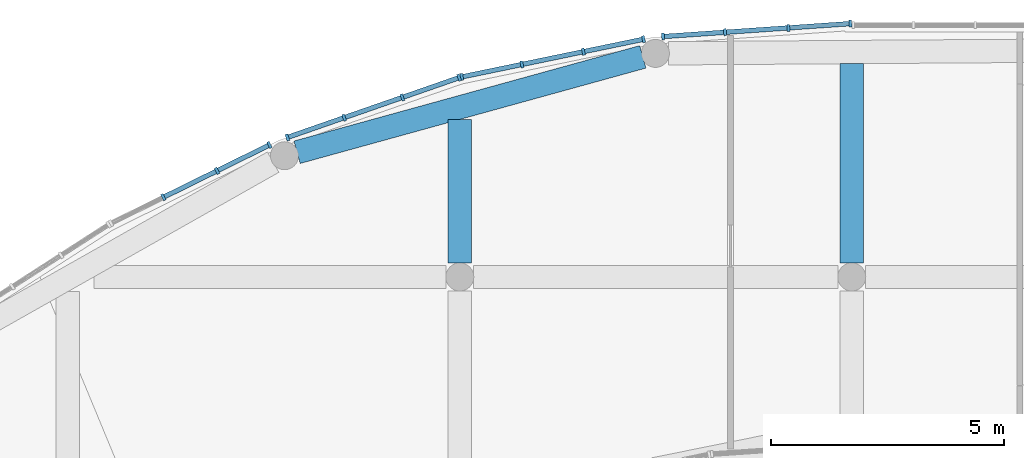
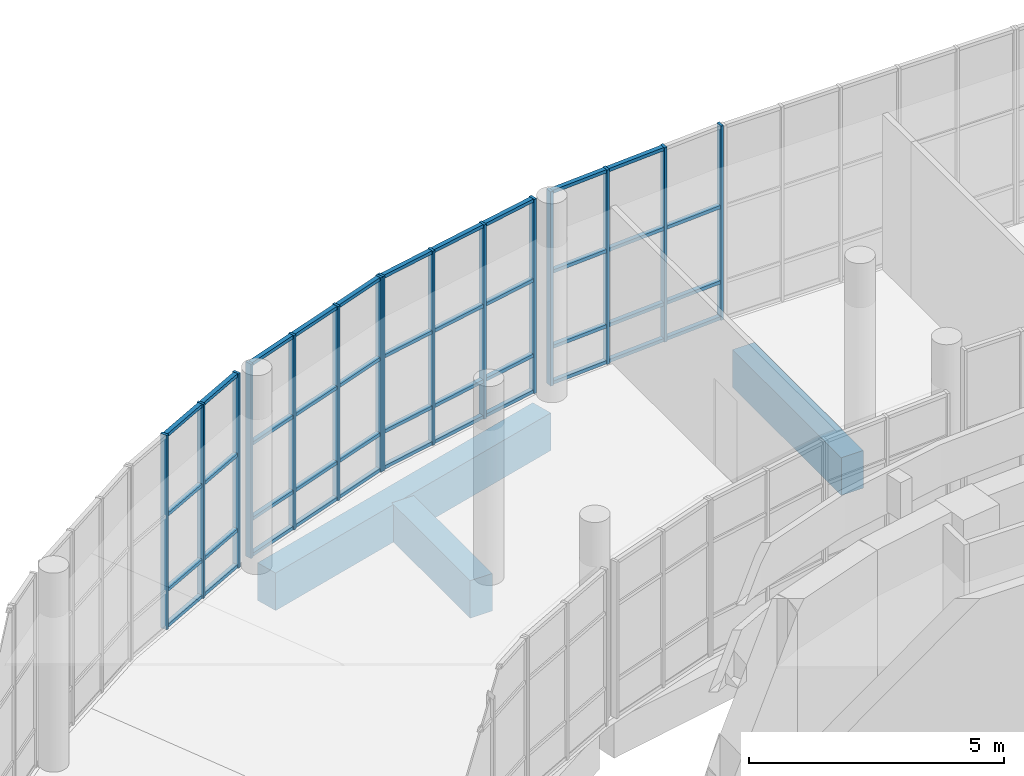
# One storey, part 36 of 119: 58 members, 3 beams, 4 elements without a shape of their own.
"""IFC4 building model written with IfcOpenShell, lengths in metres."""

from ifc_helpers import new_model, si_unit, direction, frame, origin, origin_2d, place, context, subcontext, project, spatial, rectangle, extrude, material, layer, layer_set, material_profile, profile_set, type_object, element, aggregate, save


model = new_model("IFC4")

# Units and contexts
model_context = context("Model", 3, precision=1e-05, world=origin(), true_north=direction((0.0, 1.0)))
body_context = subcontext(model_context, "Body", "Model", "MODEL_VIEW")
ifc_project = project(units=[si_unit("LENGTHUNIT", "METRE"), si_unit("AREAUNIT", "SQUARE_METRE"), si_unit("VOLUMEUNIT", "CUBIC_METRE"), si_unit("PLANEANGLEUNIT", "RADIAN"), si_unit("MASSUNIT", "GRAM", prefix="KILO")], contexts=[model_context])

# Site, building, storey
site_placement = place(None, origin())
site = spatial("IfcSite", under=ifc_project, at=site_placement, CompositionType="ELEMENT")
building_placement = place(site_placement, origin())
building = spatial("IfcBuilding", under=site, at=building_placement, Name="Larchfold Concert Hall", CompositionType="ELEMENT")
storey_placement = place(building_placement, frame((0.0, 0.0, 4.800048828125)))
storey = spatial("IfcBuildingStorey", under=building, at=storey_placement, Name="L01", CompositionType="ELEMENT", Elevation=4.800048828125)

# Curtain wall, members
ifc_material_1 = material(Name="Anodised graphite aluminium curtain wall", Category="aluminium")
ifc_layer = layer(ifc_material_1, 0.14990234375)
ifc_layer_set = layer_set([ifc_layer], Name="Anodised graphite aluminium curtain wall")
curtain_wall_type = type_object("IfcCurtainWallType", Name="Curtain wall WG", PredefinedType="NOTDEFINED", material=ifc_layer_set)
curtain_wall_1_placement = place(storey_placement, origin())
curtain_wall_1 = element("IfcCurtainWall", 1, at=curtain_wall_1_placement, inside=storey, type_object=curtain_wall_type, Name="Curtain wall CW0177", PredefinedType="NOTDEFINED")
ifc_material_2 = material(Name="Anodised graphite aluminium mullion", Category="aluminium")
ifc_material_profile_1 = material_profile(ifc_material_2, rectangle(XDim=0.14990234375, YDim=0.06005859375, at=origin_2d()))
ifc_profile_set_1 = profile_set([ifc_material_profile_1], Name="Anodised graphite aluminium mullion")
member_type_1 = type_object("IfcMemberType", Name="Aluminium mullion 60x150", PredefinedType="MULLION", material=ifc_profile_set_1)
member_1_placement = place(storey_placement, frame((42.570068359375, 132.030029296875, 0.0), z_axis=(0.0, 0.0, 1.0), x_axis=(0.068808246767, -0.997629903911, 0.0)))
member_1 = element("IfcMember", 2, at=member_1_placement, type_object=member_type_1, Name="CW0177 mullion 1", PredefinedType="MULLION", context=body_context, shape_type="SweptSolid", body=[
    extrude(rectangle(XDim=0.14990234375, YDim=0.06005859375, at=origin_2d()), origin(), (0.0, 0.0, 1.0), 4.64990234375),
])
member_2_placement = place(storey_placement, frame((41.241943359375, 131.938232421875, 0.0), z_axis=(0.0, 0.0, 1.0), x_axis=(0.068808246767, -0.997629903911, 0.0)))
member_2 = element("IfcMember", 3, at=member_2_placement, type_object=member_type_1, Name="CW0177 mullion 2", PredefinedType="MULLION", context=body_context, shape_type="SweptSolid", body=[
    extrude(rectangle(XDim=0.14990234375, YDim=0.06005859375, at=origin_2d()), origin(), (0.0, 0.0, 1.0), 4.64990234375),
])
member_3_placement = place(storey_placement, frame((39.884033203125, 131.8447265625, 0.0), z_axis=(0.0, 0.0, 1.0), x_axis=(0.068808246767, -0.997629903911, 0.0)))
member_3 = element("IfcMember", 4, at=member_3_placement, type_object=member_type_1, Name="CW0177 mullion 3", PredefinedType="MULLION", context=body_context, shape_type="SweptSolid", body=[
    extrude(rectangle(XDim=0.14990234375, YDim=0.06005859375, at=origin_2d()), origin(), (0.0, 0.0, 1.0), 4.64990234375),
])
member_4_placement = place(storey_placement, frame((38.555908203125, 131.7529296875, 0.0), z_axis=(0.0, 0.0, 1.0), x_axis=(0.068808246767, -0.997629903911, 0.0)))
member_4 = element("IfcMember", 5, at=member_4_placement, type_object=member_type_1, Name="CW0177 mullion 4", PredefinedType="MULLION", context=body_context, shape_type="SweptSolid", body=[
    extrude(rectangle(XDim=0.14990234375, YDim=0.06005859375, at=origin_2d()), origin(), (0.0, 0.0, 1.0), 4.64990234375),
])

curtain_wall_2_placement = place(storey_placement, origin())
curtain_wall_2 = element("IfcCurtainWall", 6, at=curtain_wall_2_placement, inside=storey, type_object=curtain_wall_type, Name="Curtain wall CW0178", PredefinedType="NOTDEFINED")
member_5_placement = place(storey_placement, frame((38.13720703125, 131.695556640625, 0.0), z_axis=(0.0, 0.0, 1.0), x_axis=(0.203041455757, -0.979170142133, 0.0)))
member_5 = element("IfcMember", 7, at=member_5_placement, type_object=member_type_1, Name="CW0178 mullion 1", PredefinedType="MULLION", context=body_context, shape_type="SweptSolid", body=[
    extrude(rectangle(XDim=0.14990234375, YDim=0.06005859375, at=origin_2d()), origin(), (0.0, 0.0, 1.0), 4.64990234375),
])
member_6_placement = place(storey_placement, frame((36.8486328125, 131.428466796875, 0.0), z_axis=(0.0, 0.0, 1.0), x_axis=(0.203041455757, -0.979170142133, 0.0)))
member_6 = element("IfcMember", 8, at=member_6_placement, type_object=member_type_1, Name="CW0178 mullion 2", PredefinedType="MULLION", context=body_context, shape_type="SweptSolid", body=[
    extrude(rectangle(XDim=0.14990234375, YDim=0.06005859375, at=origin_2d()), origin(), (0.0, 0.0, 1.0), 4.64990234375),
])
member_7_placement = place(storey_placement, frame((35.53076171875, 131.155029296875, 0.0), z_axis=(0.0, 0.0, 1.0), x_axis=(0.203041455757, -0.979170142133, 0.0)))
member_7 = element("IfcMember", 9, at=member_7_placement, type_object=member_type_1, Name="CW0178 mullion 3", PredefinedType="MULLION", context=body_context, shape_type="SweptSolid", body=[
    extrude(rectangle(XDim=0.14990234375, YDim=0.06005859375, at=origin_2d()), origin(), (0.0, 0.0, 1.0), 4.64990234375),
])
member_8_placement = place(storey_placement, frame((34.2421875, 130.887939453125, 0.0), z_axis=(0.0, 0.0, 1.0), x_axis=(0.203041455757, -0.979170142133, 0.0)))
member_8 = element("IfcMember", 10, at=member_8_placement, type_object=member_type_1, Name="CW0178 mullion 4", PredefinedType="MULLION", context=body_context, shape_type="SweptSolid", body=[
    extrude(rectangle(XDim=0.14990234375, YDim=0.06005859375, at=origin_2d()), origin(), (0.0, 0.0, 1.0), 4.64990234375),
])

curtain_wall_3_placement = place(storey_placement, origin())
curtain_wall_3 = element("IfcCurtainWall", 11, at=curtain_wall_3_placement, inside=storey, type_object=curtain_wall_type, Name="Curtain wall CW0179", PredefinedType="NOTDEFINED")
member_9_placement = place(storey_placement, frame((34.1845703125, 130.8720703125, 0.0), z_axis=(0.0, 0.0, 1.0), x_axis=(0.328898749766, -0.944365190169, 0.0)))
member_9 = element("IfcMember", 12, at=member_9_placement, type_object=member_type_1, Name="CW0179 mullion 1", PredefinedType="MULLION", context=body_context, shape_type="SweptSolid", body=[
    extrude(rectangle(XDim=0.14990234375, YDim=0.06005859375, at=origin_2d()), origin(), (0.0, 0.0, 1.0), 4.64990234375),
])
member_10_placement = place(storey_placement, frame((32.967529296875, 130.447998046875, 0.0), z_axis=(0.0, 0.0, 1.0), x_axis=(0.328898749766, -0.944365190169, 0.0)))
member_10 = element("IfcMember", 13, at=member_10_placement, type_object=member_type_1, Name="CW0179 mullion 2", PredefinedType="MULLION", context=body_context, shape_type="SweptSolid", body=[
    extrude(rectangle(XDim=0.14990234375, YDim=0.06005859375, at=origin_2d()), origin(), (0.0, 0.0, 1.0), 4.64990234375),
])
member_11_placement = place(storey_placement, frame((31.721923828125, 130.014404296875, 0.0), z_axis=(0.0, 0.0, 1.0), x_axis=(0.328898749766, -0.944365190169, 0.0)))
member_11 = element("IfcMember", 14, at=member_11_placement, type_object=member_type_1, Name="CW0179 mullion 3", PredefinedType="MULLION", context=body_context, shape_type="SweptSolid", body=[
    extrude(rectangle(XDim=0.14990234375, YDim=0.06005859375, at=origin_2d()), origin(), (0.0, 0.0, 1.0), 4.64990234375),
])
member_12_placement = place(storey_placement, frame((30.5048828125, 129.59033203125, 0.0), z_axis=(0.0, 0.0, 1.0), x_axis=(0.328898749766, -0.944365190169, 0.0)))
member_12 = element("IfcMember", 15, at=member_12_placement, type_object=member_type_1, Name="CW0179 mullion 4", PredefinedType="MULLION", context=body_context, shape_type="SweptSolid", body=[
    extrude(rectangle(XDim=0.14990234375, YDim=0.06005859375, at=origin_2d()), origin(), (0.0, 0.0, 1.0), 4.64990234375),
])

curtain_wall_4_placement = place(storey_placement, origin())
curtain_wall_4 = element("IfcCurtainWall", 16, at=curtain_wall_4_placement, inside=storey, type_object=curtain_wall_type, Name="Curtain wall CW0180", PredefinedType="NOTDEFINED")
member_13_placement = place(storey_placement, frame((30.120361328125, 129.429443359375, 0.0), z_axis=(0.0, 0.0, 1.0), x_axis=(0.44238339909, -0.896826030069, 0.0)))
member_13 = element("IfcMember", 17, at=member_13_placement, type_object=member_type_1, Name="CW0180 mullion 1", PredefinedType="MULLION", context=body_context, shape_type="SweptSolid", body=[
    extrude(rectangle(XDim=0.14990234375, YDim=0.06005859375, at=origin_2d()), origin(), (0.0, 0.0, 1.0), 4.64990234375),
])
member_14_placement = place(storey_placement, frame((28.997314453125, 128.87548828125, 0.0), z_axis=(0.0, 0.0, 1.0), x_axis=(0.44238339909, -0.896826030069, 0.0)))
member_14 = element("IfcMember", 18, at=member_14_placement, type_object=member_type_1, Name="CW0180 mullion 2", PredefinedType="MULLION", context=body_context, shape_type="SweptSolid", body=[
    extrude(rectangle(XDim=0.14990234375, YDim=0.06005859375, at=origin_2d()), origin(), (0.0, 0.0, 1.0), 4.64990234375),
])
member_15_placement = place(storey_placement, frame((27.847412109375, 128.30810546875, 0.0), z_axis=(0.0, 0.0, 1.0), x_axis=(0.44238339909, -0.896826030069, 0.0)))
member_15 = element("IfcMember", 19, at=member_15_placement, type_object=member_type_1, Name="CW0180 mullion 3", PredefinedType="MULLION", context=body_context, shape_type="SweptSolid", body=[
    extrude(rectangle(XDim=0.14990234375, YDim=0.06005859375, at=origin_2d()), origin(), (0.0, 0.0, 1.0), 4.64990234375),
])

# Member
ifc_material_3 = material(Name="Anodised graphite aluminium transom", Category="aluminium")
ifc_material_profile_2 = material_profile(ifc_material_3, rectangle(XDim=0.10009765625, YDim=0.080078125, at=origin_2d()))
ifc_profile_set_2 = profile_set([ifc_material_profile_2], Name="Anodised graphite aluminium transom")
member_type_2 = type_object("IfcMemberType", Name="Aluminium transom 80x100", PredefinedType="USERDEFINED", material=ifc_profile_set_2)
member_16_placement = place(storey_placement, frame((42.540283203125, 132.02783203125, 0.0400390625), z_axis=(-0.99763396324, -0.068749366475, 0.0), x_axis=(0.068749366475, -0.99763396324, 0.0)))
member_16 = element("IfcMember", 20, at=member_16_placement, type_object=member_type_2, Name="CW0177 transom 1.1", ObjectType="TRANSOM", PredefinedType="USERDEFINED", context=body_context, shape_type="SweptSolid", body=[
    extrude(rectangle(XDim=0.10009765625, YDim=0.080078125, at=origin_2d()), origin(), (0.0, 0.0, 1.0), 1.271240234375),
])

member_17_placement = place(storey_placement, frame((42.540283203125, 132.02783203125, 0.89990234375), z_axis=(-0.99763396324, -0.068749366475, 0.0), x_axis=(0.068749366475, -0.99763396324, 0.0)))
member_17 = element("IfcMember", 21, at=member_17_placement, type_object=member_type_2, Name="CW0177 transom 1.2", ObjectType="TRANSOM", PredefinedType="USERDEFINED", context=body_context, shape_type="SweptSolid", body=[
    extrude(rectangle(XDim=0.10009765625, YDim=0.080078125, at=origin_2d()), origin(), (0.0, 0.0, 1.0), 1.271240234375),
])

member_18_placement = place(storey_placement, frame((42.540283203125, 132.02783203125, 2.699951171875), z_axis=(-0.99763396324, -0.068749366475, 0.0), x_axis=(0.068749366475, -0.99763396324, 0.0)))
member_18 = element("IfcMember", 22, at=member_18_placement, type_object=member_type_2, Name="CW0177 transom 1.3", ObjectType="TRANSOM", PredefinedType="USERDEFINED", context=body_context, shape_type="SweptSolid", body=[
    extrude(rectangle(XDim=0.10009765625, YDim=0.080078125, at=origin_2d()), origin(), (0.0, 0.0, 1.0), 1.271240234375),
])

member_19_placement = place(storey_placement, frame((41.212158203125, 131.936279296875, 0.0400390625), z_axis=(-0.997627219332, -0.068847158611, 0.0), x_axis=(0.068847158611, -0.997627219332, 0.0)))
member_19 = element("IfcMember", 23, at=member_19_placement, type_object=member_type_2, Name="CW0177 transom 2.1", ObjectType="TRANSOM", PredefinedType="USERDEFINED", context=body_context, shape_type="SweptSolid", body=[
    extrude(rectangle(XDim=0.10009765625, YDim=0.080078125, at=origin_2d()), origin(), (0.0, 0.0, 1.0), 1.301513671875),
])

member_20_placement = place(storey_placement, frame((41.212158203125, 131.936279296875, 0.89990234375), z_axis=(-0.997627219332, -0.068847158611, 0.0), x_axis=(0.068847158611, -0.997627219332, 0.0)))
member_20 = element("IfcMember", 24, at=member_20_placement, type_object=member_type_2, Name="CW0177 transom 2.2", ObjectType="TRANSOM", PredefinedType="USERDEFINED", context=body_context, shape_type="SweptSolid", body=[
    extrude(rectangle(XDim=0.10009765625, YDim=0.080078125, at=origin_2d()), origin(), (0.0, 0.0, 1.0), 1.301513671875),
])

member_21_placement = place(storey_placement, frame((41.212158203125, 131.936279296875, 2.699951171875), z_axis=(-0.997627219332, -0.068847158611, 0.0), x_axis=(0.068847158611, -0.997627219332, 0.0)))
member_21 = element("IfcMember", 25, at=member_21_placement, type_object=member_type_2, Name="CW0177 transom 2.3", ObjectType="TRANSOM", PredefinedType="USERDEFINED", context=body_context, shape_type="SweptSolid", body=[
    extrude(rectangle(XDim=0.10009765625, YDim=0.080078125, at=origin_2d()), origin(), (0.0, 0.0, 1.0), 1.301513671875),
])

member_22_placement = place(storey_placement, frame((41.212158203125, 131.936279296875, 4.60986328125), z_axis=(-0.997627219332, -0.068847158611, 0.0), x_axis=(0.068847158611, -0.997627219332, 0.0)))
member_22 = element("IfcMember", 26, at=member_22_placement, type_object=member_type_2, Name="CW0177 transom 2.4", ObjectType="TRANSOM", PredefinedType="USERDEFINED", context=body_context, shape_type="SweptSolid", body=[
    extrude(rectangle(XDim=0.10009765625, YDim=0.080078125, at=origin_2d()), origin(), (0.0, 0.0, 1.0), 1.301513671875),
])

member_23_placement = place(storey_placement, frame((39.85400390625, 131.842529296875, 0.0400390625), z_axis=(-0.99763396324, -0.068749366475, 0.0), x_axis=(0.068749366475, -0.99763396324, 0.0)))
member_23 = element("IfcMember", 27, at=member_23_placement, type_object=member_type_2, Name="CW0177 transom 3.1", ObjectType="TRANSOM", PredefinedType="USERDEFINED", context=body_context, shape_type="SweptSolid", body=[
    extrude(rectangle(XDim=0.10009765625, YDim=0.080078125, at=origin_2d()), origin(), (0.0, 0.0, 1.0), 1.271240234375),
])

member_24_placement = place(storey_placement, frame((39.85400390625, 131.842529296875, 0.89990234375), z_axis=(-0.99763396324, -0.068749366475, 0.0), x_axis=(0.068749366475, -0.99763396324, 0.0)))
member_24 = element("IfcMember", 28, at=member_24_placement, type_object=member_type_2, Name="CW0177 transom 3.2", ObjectType="TRANSOM", PredefinedType="USERDEFINED", context=body_context, shape_type="SweptSolid", body=[
    extrude(rectangle(XDim=0.10009765625, YDim=0.080078125, at=origin_2d()), origin(), (0.0, 0.0, 1.0), 1.271240234375),
])

member_25_placement = place(storey_placement, frame((39.85400390625, 131.842529296875, 2.699951171875), z_axis=(-0.99763396324, -0.068749366475, 0.0), x_axis=(0.068749366475, -0.99763396324, 0.0)))
member_25 = element("IfcMember", 29, at=member_25_placement, type_object=member_type_2, Name="CW0177 transom 3.3", ObjectType="TRANSOM", PredefinedType="USERDEFINED", context=body_context, shape_type="SweptSolid", body=[
    extrude(rectangle(XDim=0.10009765625, YDim=0.080078125, at=origin_2d()), origin(), (0.0, 0.0, 1.0), 1.271240234375),
])

member_26_placement = place(storey_placement, frame((39.85400390625, 131.842529296875, 4.60986328125), z_axis=(-0.99763396324, -0.068749366475, 0.0), x_axis=(0.068749366475, -0.99763396324, 0.0)))
member_26 = element("IfcMember", 30, at=member_26_placement, type_object=member_type_2, Name="CW0177 transom 3.4", ObjectType="TRANSOM", PredefinedType="USERDEFINED", context=body_context, shape_type="SweptSolid", body=[
    extrude(rectangle(XDim=0.10009765625, YDim=0.080078125, at=origin_2d()), origin(), (0.0, 0.0, 1.0), 1.271240234375),
])

aggregate(curtain_wall_1, [member_1, member_2, member_3, member_4, member_16, member_17, member_18, member_19, member_20, member_21, member_22, member_23, member_24, member_25, member_26])

member_27_placement = place(storey_placement, frame((38.107666015625, 131.689453125, 0.0400390625), z_axis=(-0.979188538911, -0.20295271682, 0.0), x_axis=(0.20295271682, -0.979188538911, 0.0)))
member_27 = element("IfcMember", 31, at=member_27_placement, type_object=member_type_2, Name="CW0178 transom 1.1", ObjectType="TRANSOM", PredefinedType="USERDEFINED", context=body_context, shape_type="SweptSolid", body=[
    extrude(rectangle(XDim=0.10009765625, YDim=0.080078125, at=origin_2d()), origin(), (0.0, 0.0, 1.0), 1.255859375),
])

member_28_placement = place(storey_placement, frame((38.107666015625, 131.689453125, 0.89990234375), z_axis=(-0.979188538911, -0.20295271682, 0.0), x_axis=(0.20295271682, -0.979188538911, 0.0)))
member_28 = element("IfcMember", 32, at=member_28_placement, type_object=member_type_2, Name="CW0178 transom 1.2", ObjectType="TRANSOM", PredefinedType="USERDEFINED", context=body_context, shape_type="SweptSolid", body=[
    extrude(rectangle(XDim=0.10009765625, YDim=0.080078125, at=origin_2d()), origin(), (0.0, 0.0, 1.0), 1.255859375),
])

member_29_placement = place(storey_placement, frame((38.107666015625, 131.689453125, 2.699951171875), z_axis=(-0.979188538911, -0.20295271682, 0.0), x_axis=(0.20295271682, -0.979188538911, 0.0)))
member_29 = element("IfcMember", 33, at=member_29_placement, type_object=member_type_2, Name="CW0178 transom 1.3", ObjectType="TRANSOM", PredefinedType="USERDEFINED", context=body_context, shape_type="SweptSolid", body=[
    extrude(rectangle(XDim=0.10009765625, YDim=0.080078125, at=origin_2d()), origin(), (0.0, 0.0, 1.0), 1.255859375),
])

member_30_placement = place(storey_placement, frame((38.107666015625, 131.689453125, 4.60986328125), z_axis=(-0.979188538911, -0.20295271682, 0.0), x_axis=(0.20295271682, -0.979188538911, 0.0)))
member_30 = element("IfcMember", 34, at=member_30_placement, type_object=member_type_2, Name="CW0178 transom 1.4", ObjectType="TRANSOM", PredefinedType="USERDEFINED", context=body_context, shape_type="SweptSolid", body=[
    extrude(rectangle(XDim=0.10009765625, YDim=0.080078125, at=origin_2d()), origin(), (0.0, 0.0, 1.0), 1.255859375),
])

member_31_placement = place(storey_placement, frame((36.8193359375, 131.42236328125, 0.0400390625), z_axis=(-0.979153787789, -0.203120308828, 0.0), x_axis=(0.203120308828, -0.979153787789, 0.0)))
member_31 = element("IfcMember", 35, at=member_31_placement, type_object=member_type_2, Name="CW0178 transom 2.1", ObjectType="TRANSOM", PredefinedType="USERDEFINED", context=body_context, shape_type="SweptSolid", body=[
    extrude(rectangle(XDim=0.10009765625, YDim=0.080078125, at=origin_2d()), origin(), (0.0, 0.0, 1.0), 1.2861328125),
])

member_32_placement = place(storey_placement, frame((36.8193359375, 131.42236328125, 0.89990234375), z_axis=(-0.979153787789, -0.203120308828, 0.0), x_axis=(0.203120308828, -0.979153787789, 0.0)))
member_32 = element("IfcMember", 36, at=member_32_placement, type_object=member_type_2, Name="CW0178 transom 2.2", ObjectType="TRANSOM", PredefinedType="USERDEFINED", context=body_context, shape_type="SweptSolid", body=[
    extrude(rectangle(XDim=0.10009765625, YDim=0.080078125, at=origin_2d()), origin(), (0.0, 0.0, 1.0), 1.2861328125),
])

member_33_placement = place(storey_placement, frame((36.8193359375, 131.42236328125, 2.699951171875), z_axis=(-0.979153787789, -0.203120308828, 0.0), x_axis=(0.203120308828, -0.979153787789, 0.0)))
member_33 = element("IfcMember", 37, at=member_33_placement, type_object=member_type_2, Name="CW0178 transom 2.3", ObjectType="TRANSOM", PredefinedType="USERDEFINED", context=body_context, shape_type="SweptSolid", body=[
    extrude(rectangle(XDim=0.10009765625, YDim=0.080078125, at=origin_2d()), origin(), (0.0, 0.0, 1.0), 1.2861328125),
])

member_34_placement = place(storey_placement, frame((36.8193359375, 131.42236328125, 4.60986328125), z_axis=(-0.979153787789, -0.203120308828, 0.0), x_axis=(0.203120308828, -0.979153787789, 0.0)))
member_34 = element("IfcMember", 38, at=member_34_placement, type_object=member_type_2, Name="CW0178 transom 2.4", ObjectType="TRANSOM", PredefinedType="USERDEFINED", context=body_context, shape_type="SweptSolid", body=[
    extrude(rectangle(XDim=0.10009765625, YDim=0.080078125, at=origin_2d()), origin(), (0.0, 0.0, 1.0), 1.2861328125),
])

member_35_placement = place(storey_placement, frame((35.50146484375, 131.14892578125, 0.0400390625), z_axis=(-0.979188538911, -0.20295271682, 0.0), x_axis=(0.20295271682, -0.979188538911, 0.0)))
member_35 = element("IfcMember", 39, at=member_35_placement, type_object=member_type_2, Name="CW0178 transom 3.1", ObjectType="TRANSOM", PredefinedType="USERDEFINED", context=body_context, shape_type="SweptSolid", body=[
    extrude(rectangle(XDim=0.10009765625, YDim=0.080078125, at=origin_2d()), origin(), (0.0, 0.0, 1.0), 1.255859375),
])

member_36_placement = place(storey_placement, frame((35.50146484375, 131.14892578125, 0.89990234375), z_axis=(-0.979188538911, -0.20295271682, 0.0), x_axis=(0.20295271682, -0.979188538911, 0.0)))
member_36 = element("IfcMember", 40, at=member_36_placement, type_object=member_type_2, Name="CW0178 transom 3.2", ObjectType="TRANSOM", PredefinedType="USERDEFINED", context=body_context, shape_type="SweptSolid", body=[
    extrude(rectangle(XDim=0.10009765625, YDim=0.080078125, at=origin_2d()), origin(), (0.0, 0.0, 1.0), 1.255859375),
])

member_37_placement = place(storey_placement, frame((35.50146484375, 131.14892578125, 2.699951171875), z_axis=(-0.979188538911, -0.20295271682, 0.0), x_axis=(0.20295271682, -0.979188538911, 0.0)))
member_37 = element("IfcMember", 41, at=member_37_placement, type_object=member_type_2, Name="CW0178 transom 3.3", ObjectType="TRANSOM", PredefinedType="USERDEFINED", context=body_context, shape_type="SweptSolid", body=[
    extrude(rectangle(XDim=0.10009765625, YDim=0.080078125, at=origin_2d()), origin(), (0.0, 0.0, 1.0), 1.255859375),
])

member_38_placement = place(storey_placement, frame((35.50146484375, 131.14892578125, 4.60986328125), z_axis=(-0.979188538911, -0.20295271682, 0.0), x_axis=(0.20295271682, -0.979188538911, 0.0)))
member_38 = element("IfcMember", 42, at=member_38_placement, type_object=member_type_2, Name="CW0178 transom 3.4", ObjectType="TRANSOM", PredefinedType="USERDEFINED", context=body_context, shape_type="SweptSolid", body=[
    extrude(rectangle(XDim=0.10009765625, YDim=0.080078125, at=origin_2d()), origin(), (0.0, 0.0, 1.0), 1.255859375),
])

aggregate(curtain_wall_2, [member_5, member_6, member_7, member_8, member_27, member_28, member_29, member_30, member_31, member_32, member_33, member_34, member_35, member_36, member_37, member_38])

member_39_placement = place(storey_placement, frame((34.15625, 130.862060546875, 0.0400390625), z_axis=(-0.944386842952, -0.328836571657, 0.0), x_axis=(0.328836571657, -0.944386842952, 0.0)))
member_39 = element("IfcMember", 43, at=member_39_placement, type_object=member_type_2, Name="CW0179 transom 1.1", ObjectType="TRANSOM", PredefinedType="USERDEFINED", context=body_context, shape_type="SweptSolid", body=[
    extrude(rectangle(XDim=0.10009765625, YDim=0.080078125, at=origin_2d()), origin(), (0.0, 0.0, 1.0), 1.228759765625),
])

member_40_placement = place(storey_placement, frame((34.15625, 130.862060546875, 0.89990234375), z_axis=(-0.944386842952, -0.328836571657, 0.0), x_axis=(0.328836571657, -0.944386842952, 0.0)))
member_40 = element("IfcMember", 44, at=member_40_placement, type_object=member_type_2, Name="CW0179 transom 1.2", ObjectType="TRANSOM", PredefinedType="USERDEFINED", context=body_context, shape_type="SweptSolid", body=[
    extrude(rectangle(XDim=0.10009765625, YDim=0.080078125, at=origin_2d()), origin(), (0.0, 0.0, 1.0), 1.228759765625),
])

member_41_placement = place(storey_placement, frame((34.15625, 130.862060546875, 2.699951171875), z_axis=(-0.944386842952, -0.328836571657, 0.0), x_axis=(0.328836571657, -0.944386842952, 0.0)))
member_41 = element("IfcMember", 45, at=member_41_placement, type_object=member_type_2, Name="CW0179 transom 1.3", ObjectType="TRANSOM", PredefinedType="USERDEFINED", context=body_context, shape_type="SweptSolid", body=[
    extrude(rectangle(XDim=0.10009765625, YDim=0.080078125, at=origin_2d()), origin(), (0.0, 0.0, 1.0), 1.228759765625),
])

member_42_placement = place(storey_placement, frame((34.15625, 130.862060546875, 4.60986328125), z_axis=(-0.944386842952, -0.328836571657, 0.0), x_axis=(0.328836571657, -0.944386842952, 0.0)))
member_42 = element("IfcMember", 46, at=member_42_placement, type_object=member_type_2, Name="CW0179 transom 1.4", ObjectType="TRANSOM", PredefinedType="USERDEFINED", context=body_context, shape_type="SweptSolid", body=[
    extrude(rectangle(XDim=0.10009765625, YDim=0.080078125, at=origin_2d()), origin(), (0.0, 0.0, 1.0), 1.228759765625),
])

member_43_placement = place(storey_placement, frame((32.939208984375, 130.438232421875, 0.0400390625), z_axis=(-0.944371156441, -0.328881618342, 0.0), x_axis=(0.328881618342, -0.944371156441, 0.0)))
member_43 = element("IfcMember", 47, at=member_43_placement, type_object=member_type_2, Name="CW0179 transom 2.1", ObjectType="TRANSOM", PredefinedType="USERDEFINED", context=body_context, shape_type="SweptSolid", body=[
    extrude(rectangle(XDim=0.10009765625, YDim=0.080078125, at=origin_2d()), origin(), (0.0, 0.0, 1.0), 1.259033203125),
])

member_44_placement = place(storey_placement, frame((32.939208984375, 130.438232421875, 0.89990234375), z_axis=(-0.944371156441, -0.328881618342, 0.0), x_axis=(0.328881618342, -0.944371156441, 0.0)))
member_44 = element("IfcMember", 48, at=member_44_placement, type_object=member_type_2, Name="CW0179 transom 2.2", ObjectType="TRANSOM", PredefinedType="USERDEFINED", context=body_context, shape_type="SweptSolid", body=[
    extrude(rectangle(XDim=0.10009765625, YDim=0.080078125, at=origin_2d()), origin(), (0.0, 0.0, 1.0), 1.259033203125),
])

member_45_placement = place(storey_placement, frame((32.939208984375, 130.438232421875, 2.699951171875), z_axis=(-0.944371156441, -0.328881618342, 0.0), x_axis=(0.328881618342, -0.944371156441, 0.0)))
member_45 = element("IfcMember", 49, at=member_45_placement, type_object=member_type_2, Name="CW0179 transom 2.3", ObjectType="TRANSOM", PredefinedType="USERDEFINED", context=body_context, shape_type="SweptSolid", body=[
    extrude(rectangle(XDim=0.10009765625, YDim=0.080078125, at=origin_2d()), origin(), (0.0, 0.0, 1.0), 1.259033203125),
])

member_46_placement = place(storey_placement, frame((32.939208984375, 130.438232421875, 4.60986328125), z_axis=(-0.944371156441, -0.328881618342, 0.0), x_axis=(0.328881618342, -0.944371156441, 0.0)))
member_46 = element("IfcMember", 50, at=member_46_placement, type_object=member_type_2, Name="CW0179 transom 2.4", ObjectType="TRANSOM", PredefinedType="USERDEFINED", context=body_context, shape_type="SweptSolid", body=[
    extrude(rectangle(XDim=0.10009765625, YDim=0.080078125, at=origin_2d()), origin(), (0.0, 0.0, 1.0), 1.259033203125),
])

member_47_placement = place(storey_placement, frame((31.693603515625, 130.00439453125, 0.0400390625), z_axis=(-0.944386842952, -0.328836571657, 0.0), x_axis=(0.328836571657, -0.944386842952, 0.0)))
member_47 = element("IfcMember", 51, at=member_47_placement, type_object=member_type_2, Name="CW0179 transom 3.1", ObjectType="TRANSOM", PredefinedType="USERDEFINED", context=body_context, shape_type="SweptSolid", body=[
    extrude(rectangle(XDim=0.10009765625, YDim=0.080078125, at=origin_2d()), origin(), (0.0, 0.0, 1.0), 1.228759765625),
])

member_48_placement = place(storey_placement, frame((31.693603515625, 130.00439453125, 0.89990234375), z_axis=(-0.944386842952, -0.328836571657, 0.0), x_axis=(0.328836571657, -0.944386842952, 0.0)))
member_48 = element("IfcMember", 52, at=member_48_placement, type_object=member_type_2, Name="CW0179 transom 3.2", ObjectType="TRANSOM", PredefinedType="USERDEFINED", context=body_context, shape_type="SweptSolid", body=[
    extrude(rectangle(XDim=0.10009765625, YDim=0.080078125, at=origin_2d()), origin(), (0.0, 0.0, 1.0), 1.228759765625),
])

member_49_placement = place(storey_placement, frame((31.693603515625, 130.00439453125, 2.699951171875), z_axis=(-0.944386842952, -0.328836571657, 0.0), x_axis=(0.328836571657, -0.944386842952, 0.0)))
member_49 = element("IfcMember", 53, at=member_49_placement, type_object=member_type_2, Name="CW0179 transom 3.3", ObjectType="TRANSOM", PredefinedType="USERDEFINED", context=body_context, shape_type="SweptSolid", body=[
    extrude(rectangle(XDim=0.10009765625, YDim=0.080078125, at=origin_2d()), origin(), (0.0, 0.0, 1.0), 1.228759765625),
])

member_50_placement = place(storey_placement, frame((31.693603515625, 130.00439453125, 4.60986328125), z_axis=(-0.944386842952, -0.328836571657, 0.0), x_axis=(0.328836571657, -0.944386842952, 0.0)))
member_50 = element("IfcMember", 54, at=member_50_placement, type_object=member_type_2, Name="CW0179 transom 3.4", ObjectType="TRANSOM", PredefinedType="USERDEFINED", context=body_context, shape_type="SweptSolid", body=[
    extrude(rectangle(XDim=0.10009765625, YDim=0.080078125, at=origin_2d()), origin(), (0.0, 0.0, 1.0), 1.228759765625),
])

aggregate(curtain_wall_3, [member_9, member_10, member_11, member_12, member_39, member_40, member_41, member_42, member_43, member_44, member_45, member_46, member_47, member_48, member_49, member_50])

member_51_placement = place(storey_placement, frame((30.093505859375, 129.416015625, 0.0400390625), z_axis=(-0.896870870578, -0.44229248412, 0.0), x_axis=(0.44229248412, -0.896870870578, 0.0)))
member_51 = element("IfcMember", 55, at=member_51_placement, type_object=member_type_2, Name="CW0180 transom 1.1", ObjectType="TRANSOM", PredefinedType="USERDEFINED", context=body_context, shape_type="SweptSolid", body=[
    extrude(rectangle(XDim=0.10009765625, YDim=0.080078125, at=origin_2d()), origin(), (0.0, 0.0, 1.0), 1.1923828125),
])

member_52_placement = place(storey_placement, frame((30.093505859375, 129.416015625, 0.89990234375), z_axis=(-0.896870870578, -0.44229248412, 0.0), x_axis=(0.44229248412, -0.896870870578, 0.0)))
member_52 = element("IfcMember", 56, at=member_52_placement, type_object=member_type_2, Name="CW0180 transom 1.2", ObjectType="TRANSOM", PredefinedType="USERDEFINED", context=body_context, shape_type="SweptSolid", body=[
    extrude(rectangle(XDim=0.10009765625, YDim=0.080078125, at=origin_2d()), origin(), (0.0, 0.0, 1.0), 1.1923828125),
])

member_53_placement = place(storey_placement, frame((30.093505859375, 129.416015625, 2.699951171875), z_axis=(-0.896870870578, -0.44229248412, 0.0), x_axis=(0.44229248412, -0.896870870578, 0.0)))
member_53 = element("IfcMember", 57, at=member_53_placement, type_object=member_type_2, Name="CW0180 transom 1.3", ObjectType="TRANSOM", PredefinedType="USERDEFINED", context=body_context, shape_type="SweptSolid", body=[
    extrude(rectangle(XDim=0.10009765625, YDim=0.080078125, at=origin_2d()), origin(), (0.0, 0.0, 1.0), 1.1923828125),
])

member_54_placement = place(storey_placement, frame((30.093505859375, 129.416015625, 4.60986328125), z_axis=(-0.896870870578, -0.44229248412, 0.0), x_axis=(0.44229248412, -0.896870870578, 0.0)))
member_54 = element("IfcMember", 58, at=member_54_placement, type_object=member_type_2, Name="CW0180 transom 1.4", ObjectType="TRANSOM", PredefinedType="USERDEFINED", context=body_context, shape_type="SweptSolid", body=[
    extrude(rectangle(XDim=0.10009765625, YDim=0.080078125, at=origin_2d()), origin(), (0.0, 0.0, 1.0), 1.1923828125),
])

member_55_placement = place(storey_placement, frame((28.970458984375, 128.862060546875, 0.0400390625), z_axis=(-0.896890407795, -0.442252864779, 0.0), x_axis=(0.442252864779, -0.896890407795, 0.0)))
member_55 = element("IfcMember", 59, at=member_55_placement, type_object=member_type_2, Name="CW0180 transom 2.1", ObjectType="TRANSOM", PredefinedType="USERDEFINED", context=body_context, shape_type="SweptSolid", body=[
    extrude(rectangle(XDim=0.10009765625, YDim=0.080078125, at=origin_2d()), origin(), (0.0, 0.0, 1.0), 1.22216796875),
])

member_56_placement = place(storey_placement, frame((28.970458984375, 128.862060546875, 0.89990234375), z_axis=(-0.896890407795, -0.442252864779, 0.0), x_axis=(0.442252864779, -0.896890407795, 0.0)))
member_56 = element("IfcMember", 60, at=member_56_placement, type_object=member_type_2, Name="CW0180 transom 2.2", ObjectType="TRANSOM", PredefinedType="USERDEFINED", context=body_context, shape_type="SweptSolid", body=[
    extrude(rectangle(XDim=0.10009765625, YDim=0.080078125, at=origin_2d()), origin(), (0.0, 0.0, 1.0), 1.22216796875),
])

member_57_placement = place(storey_placement, frame((28.970458984375, 128.862060546875, 2.699951171875), z_axis=(-0.896890407795, -0.442252864779, 0.0), x_axis=(0.442252864779, -0.896890407795, 0.0)))
member_57 = element("IfcMember", 61, at=member_57_placement, type_object=member_type_2, Name="CW0180 transom 2.3", ObjectType="TRANSOM", PredefinedType="USERDEFINED", context=body_context, shape_type="SweptSolid", body=[
    extrude(rectangle(XDim=0.10009765625, YDim=0.080078125, at=origin_2d()), origin(), (0.0, 0.0, 1.0), 1.22216796875),
])

member_58_placement = place(storey_placement, frame((28.970458984375, 128.862060546875, 4.60986328125), z_axis=(-0.896890407795, -0.442252864779, 0.0), x_axis=(0.442252864779, -0.896890407795, 0.0)))
member_58 = element("IfcMember", 62, at=member_58_placement, type_object=member_type_2, Name="CW0180 transom 2.4", ObjectType="TRANSOM", PredefinedType="USERDEFINED", context=body_context, shape_type="SweptSolid", body=[
    extrude(rectangle(XDim=0.10009765625, YDim=0.080078125, at=origin_2d()), origin(), (0.0, 0.0, 1.0), 1.22216796875),
])

aggregate(curtain_wall_4, [member_13, member_14, member_15, member_51, member_52, member_53, member_54, member_55, member_56, member_57, member_58])

# Beams
ifc_material_4 = material(Name="Concrete C35/45", Category="concrete")
ifc_material_profile_3 = material_profile(ifc_material_4, rectangle(XDim=0.5, YDim=0.89990234375, at=origin_2d()))
ifc_profile_set_3 = profile_set([ifc_material_profile_3], Name="Concrete C35/45")
beam_type = type_object("IfcBeamType", Name="Beam RC 500x900", PredefinedType="BEAM", material=ifc_profile_set_3)
beam_1_placement = place(storey_placement, frame((30.712890625, 129.2724609375, -0.60009765625), z_axis=(0.963983351567, 0.265962587409, 0.0), x_axis=(-0.265962587409, 0.963983351567, 0.0)))
element("IfcBeam", 63, at=beam_1_placement, inside=storey, type_object=beam_type, Name="Beam B1878", PredefinedType="BEAM", context=body_context, shape_type="SweptSolid", body=[
    extrude(rectangle(XDim=0.5, YDim=0.89990234375, at=origin_2d()), origin(), (0.0, 0.0, 1.0), 7.68603515625),
])
beam_2_placement = place(storey_placement, frame((34.199951171875, 126.898681640625, -0.60009765625), z_axis=(0.0, 1.0, 0.0), x_axis=(-1.0, 0.0, 0.0)))
element("IfcBeam", 64, at=beam_2_placement, inside=storey, type_object=beam_type, Name="Beam B1902", PredefinedType="BEAM", context=body_context, shape_type="SweptSolid", body=[
    extrude(rectangle(XDim=0.5, YDim=0.89990234375, at=origin_2d()), origin(), (0.0, 0.0, 1.0), 3.076416015625),
])
beam_3_placement = place(storey_placement, frame((42.60009765625, 126.898681640625, -0.60009765625), z_axis=(0.0, 1.0, 0.0), x_axis=(-1.0, 0.0, 0.0)))
element("IfcBeam", 65, at=beam_3_placement, inside=storey, type_object=beam_type, Name="Beam B1904", PredefinedType="BEAM", context=body_context, shape_type="SweptSolid", body=[
    extrude(rectangle(XDim=0.5, YDim=0.89990234375, at=origin_2d()), origin(), (0.0, 0.0, 1.0), 4.271484375),
])

save(model, "model.ifc")
